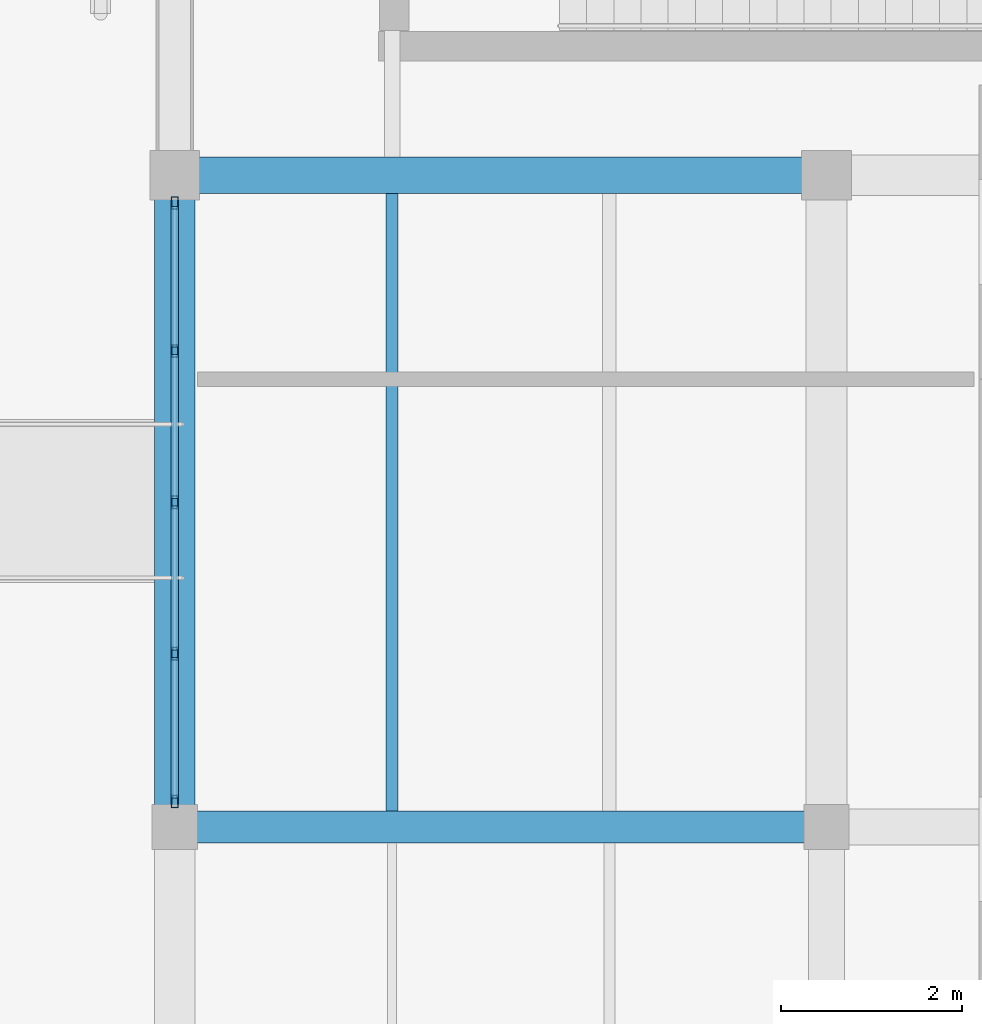
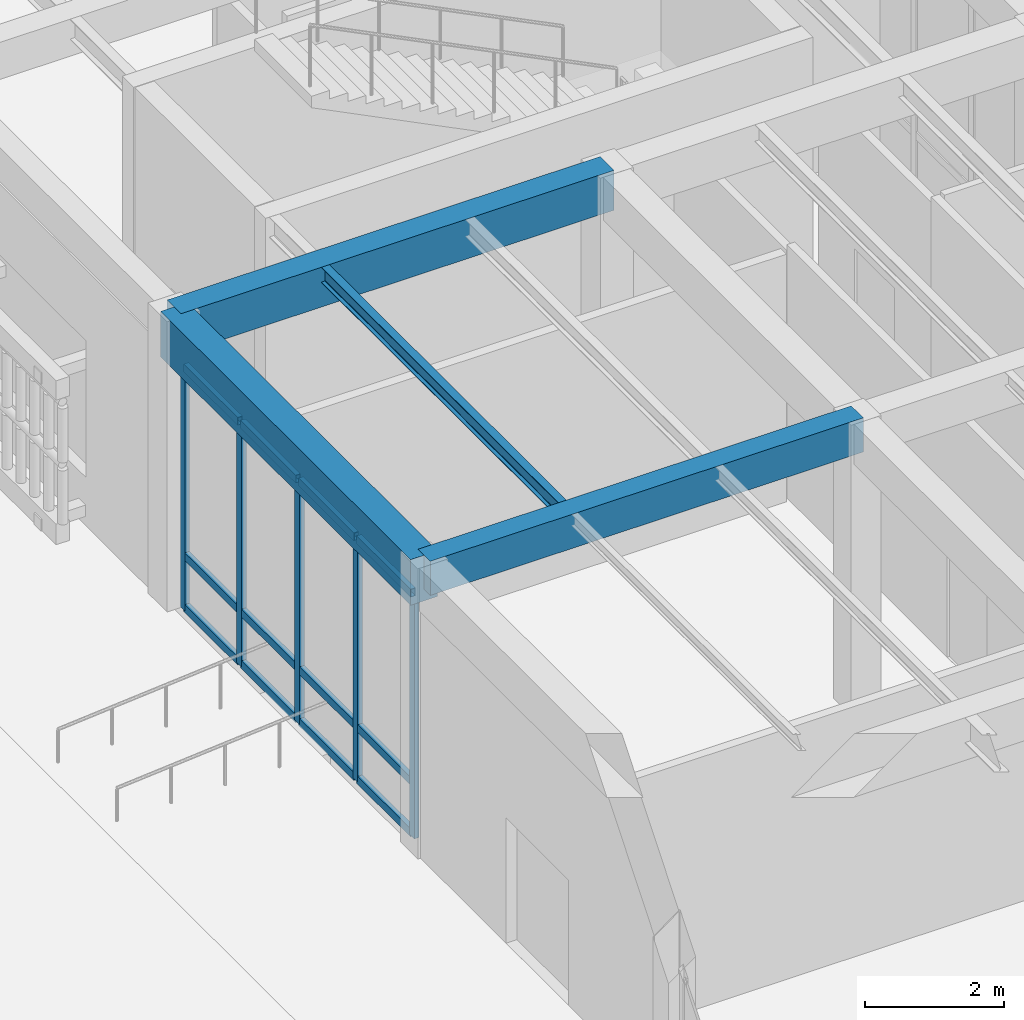
# One storey, part 75 of 169: 17 members, 4 beams, 1 element without a shape of its own.
"""IFC4 building model written with IfcOpenShell, lengths in metres."""

from ifc_helpers import new_model, si_unit, direction, frame, origin, origin_2d, place, context, subcontext, project, spatial, rectangle, hollow_rectangle, i_section, extrude, material, layer, layer_set, material_profile, profile_set, type_object, element, aggregate, save


model = new_model("IFC4")

# Units and contexts
model_context = context("Model", 3, precision=1e-05, world=origin(), true_north=direction((0.0, 1.0)))
body_context = subcontext(model_context, "Body", "Model", "MODEL_VIEW")
ifc_project = project(units=[si_unit("LENGTHUNIT", "METRE"), si_unit("AREAUNIT", "SQUARE_METRE"), si_unit("VOLUMEUNIT", "CUBIC_METRE"), si_unit("PLANEANGLEUNIT", "RADIAN"), si_unit("MASSUNIT", "GRAM", prefix="KILO")], contexts=[model_context])

# Site, building, storey
site_placement = place(None, origin())
site = spatial("IfcSite", under=ifc_project, at=site_placement, CompositionType="ELEMENT")
building_placement = place(site_placement, origin())
building = spatial("IfcBuilding", under=site, at=building_placement, Name="Mazaris Harbour Polytechnic", CompositionType="ELEMENT")
storey_placement = place(building_placement, origin())
storey = spatial("IfcBuildingStorey", under=building, at=storey_placement, Name="L00", CompositionType="ELEMENT", Elevation=0.0)

# Curtain wall, members
ifc_material_1 = material(Name="Anodised Bronze Aluminium and Low-E Glass", Category="aluminium")
ifc_layer = layer(ifc_material_1, 0.169921875, Name="Anodised Bronze Aluminium and Low-E Glass")
ifc_layer_set = layer_set([ifc_layer], Name="Anodised Bronze Aluminium and Low-E Glass")
curtain_wall_type = type_object("IfcCurtainWallType", Name="Studio North-Light Curtain Wall", PredefinedType="NOTDEFINED", material=ifc_layer_set)
curtain_wall_placement = place(storey_placement, origin())
curtain_wall = element("IfcCurtainWall", 1, at=curtain_wall_placement, inside=storey, type_object=curtain_wall_type, Name="V5 L00 Curtain Wall 188", PredefinedType="NOTDEFINED")
ifc_material_2 = material(Name="Anodised Bronze Steel S355", Category="steel")
ifc_material_profile_1 = material_profile(ifc_material_2, hollow_rectangle(XDim=0.080078125, YDim=0.139892578125, WallThickness=0.00634765625, at=origin_2d()), Name="RHS 80x140x6.3")
ifc_profile_set_1 = profile_set([ifc_material_profile_1], Name="Anodised Bronze Steel S355")
member_type_1 = type_object("IfcMemberType", Name="Curtain Mullion RHS80x140", PredefinedType="MULLION", material=ifc_profile_set_1)
member_1_placement = place(storey_placement, frame((122.39990234375, 61.48193359375, 0.0), z_axis=(0.0, 0.0, 1.0), x_axis=(-1.0, 0.0, 0.0)))
member_1 = element("IfcMember", 2, at=member_1_placement, type_object=member_type_1, Name="CW-03 mullion 1", PredefinedType="MULLION", context=body_context, shape_type="SweptSolid", body=[
    extrude(hollow_rectangle(XDim=0.080078125, YDim=0.139892578125, WallThickness=0.00634765625, at=origin_2d()), origin(), (0.0, 0.0, 1.0), 4.2900390625),
])
member_2_placement = place(storey_placement, frame((122.39990234375, 63.11474609375, 0.0), z_axis=(0.0, 0.0, 1.0), x_axis=(-1.0, 0.0, 0.0)))
member_2 = element("IfcMember", 3, at=member_2_placement, type_object=member_type_1, Name="CW-03 mullion 2", PredefinedType="MULLION", context=body_context, shape_type="SweptSolid", body=[
    extrude(hollow_rectangle(XDim=0.080078125, YDim=0.139892578125, WallThickness=0.00634765625, at=origin_2d()), origin(), (0.0, 0.0, 1.0), 4.2900390625),
])
member_3_placement = place(storey_placement, frame((122.39990234375, 64.78759765625, 0.0), z_axis=(0.0, 0.0, 1.0), x_axis=(-1.0, 0.0, 0.0)))
member_3 = element("IfcMember", 4, at=member_3_placement, type_object=member_type_1, Name="CW-03 mullion 3", PredefinedType="MULLION", context=body_context, shape_type="SweptSolid", body=[
    extrude(hollow_rectangle(XDim=0.080078125, YDim=0.139892578125, WallThickness=0.00634765625, at=origin_2d()), origin(), (0.0, 0.0, 1.0), 4.2900390625),
])
member_4_placement = place(storey_placement, frame((122.39990234375, 66.460205078125, 0.0), z_axis=(0.0, 0.0, 1.0), x_axis=(-1.0, 0.0, 0.0)))
member_4 = element("IfcMember", 5, at=member_4_placement, type_object=member_type_1, Name="CW-03 mullion 4", PredefinedType="MULLION", context=body_context, shape_type="SweptSolid", body=[
    extrude(hollow_rectangle(XDim=0.080078125, YDim=0.139892578125, WallThickness=0.00634765625, at=origin_2d()), origin(), (0.0, 0.0, 1.0), 4.2900390625),
])
member_5_placement = place(storey_placement, frame((122.39990234375, 68.093017578125, 0.0), z_axis=(0.0, 0.0, 1.0), x_axis=(-1.0, 0.0, 0.0)))
member_5 = element("IfcMember", 6, at=member_5_placement, type_object=member_type_1, Name="CW-03 mullion 5", PredefinedType="MULLION", context=body_context, shape_type="SweptSolid", body=[
    extrude(hollow_rectangle(XDim=0.080078125, YDim=0.139892578125, WallThickness=0.00634765625, at=origin_2d()), origin(), (0.0, 0.0, 1.0), 4.2900390625),
])
ifc_material_3 = material(Name="Anodised Bronze Steel S355", Category="steel")
ifc_material_profile_2 = material_profile(ifc_material_3, hollow_rectangle(XDim=0.080078125, YDim=0.139892578125, WallThickness=0.00634765625, at=origin_2d()), Name="RHS 80x140x6.3")
ifc_profile_set_2 = profile_set([ifc_material_profile_2], Name="Anodised Bronze Steel S355")
member_type_2 = type_object("IfcMemberType", Name="Curtain Transom RHS80x140", PredefinedType="USERDEFINED", material=ifc_profile_set_2)
member_6_placement = place(storey_placement, frame((122.39990234375, 61.52197265625, 0.0400390625), z_axis=(0.0, 1.0, 0.0), x_axis=(-1.0, 0.0, 0.0)))
member_6 = element("IfcMember", 7, at=member_6_placement, type_object=member_type_2, Name="CW-03 transom 1.1", ObjectType="TRANSOM", PredefinedType="USERDEFINED", context=body_context, shape_type="SweptSolid", body=[
    extrude(hollow_rectangle(XDim=0.080078125, YDim=0.139892578125, WallThickness=0.00634765625, at=origin_2d()), origin(), (0.0, 0.0, 1.0), 1.552734375),
])
member_7_placement = place(storey_placement, frame((122.39990234375, 61.52197265625, 0.949951171875), z_axis=(0.0, 1.0, 0.0), x_axis=(-1.0, 0.0, 0.0)))
member_7 = element("IfcMember", 8, at=member_7_placement, type_object=member_type_2, Name="CW-03 transom 1.2", ObjectType="TRANSOM", PredefinedType="USERDEFINED", context=body_context, shape_type="SweptSolid", body=[
    extrude(hollow_rectangle(XDim=0.080078125, YDim=0.139892578125, WallThickness=0.00634765625, at=origin_2d()), origin(), (0.0, 0.0, 1.0), 1.552734375),
])
member_8_placement = place(storey_placement, frame((122.39990234375, 61.52197265625, 4.25), z_axis=(0.0, 1.0, 0.0), x_axis=(-1.0, 0.0, 0.0)))
member_8 = element("IfcMember", 9, at=member_8_placement, type_object=member_type_2, Name="CW-03 transom 1.3", ObjectType="TRANSOM", PredefinedType="USERDEFINED", context=body_context, shape_type="SweptSolid", body=[
    extrude(hollow_rectangle(XDim=0.080078125, YDim=0.139892578125, WallThickness=0.00634765625, at=origin_2d()), origin(), (0.0, 0.0, 1.0), 1.552734375),
])
member_9_placement = place(storey_placement, frame((122.39990234375, 63.15478515625, 0.0400390625), z_axis=(0.0, 1.0, 0.0), x_axis=(-1.0, 0.0, 0.0)))
member_9 = element("IfcMember", 10, at=member_9_placement, type_object=member_type_2, Name="CW-03 transom 2.1", ObjectType="TRANSOM", PredefinedType="USERDEFINED", context=body_context, shape_type="SweptSolid", body=[
    extrude(hollow_rectangle(XDim=0.080078125, YDim=0.139892578125, WallThickness=0.00634765625, at=origin_2d()), origin(), (0.0, 0.0, 1.0), 1.5927734375),
])
member_10_placement = place(storey_placement, frame((122.39990234375, 63.15478515625, 0.949951171875), z_axis=(0.0, 1.0, 0.0), x_axis=(-1.0, 0.0, 0.0)))
member_10 = element("IfcMember", 11, at=member_10_placement, type_object=member_type_2, Name="CW-03 transom 2.2", ObjectType="TRANSOM", PredefinedType="USERDEFINED", context=body_context, shape_type="SweptSolid", body=[
    extrude(hollow_rectangle(XDim=0.080078125, YDim=0.139892578125, WallThickness=0.00634765625, at=origin_2d()), origin(), (0.0, 0.0, 1.0), 1.5927734375),
])
member_11_placement = place(storey_placement, frame((122.39990234375, 63.15478515625, 4.25), z_axis=(0.0, 1.0, 0.0), x_axis=(-1.0, 0.0, 0.0)))
member_11 = element("IfcMember", 12, at=member_11_placement, type_object=member_type_2, Name="CW-03 transom 2.3", ObjectType="TRANSOM", PredefinedType="USERDEFINED", context=body_context, shape_type="SweptSolid", body=[
    extrude(hollow_rectangle(XDim=0.080078125, YDim=0.139892578125, WallThickness=0.00634765625, at=origin_2d()), origin(), (0.0, 0.0, 1.0), 1.5927734375),
])
member_12_placement = place(storey_placement, frame((122.39990234375, 64.827392578125, 0.0400390625), z_axis=(0.0, 1.0, 0.0), x_axis=(-1.0, 0.0, 0.0)))
member_12 = element("IfcMember", 13, at=member_12_placement, type_object=member_type_2, Name="CW-03 transom 3.1", ObjectType="TRANSOM", PredefinedType="USERDEFINED", context=body_context, shape_type="SweptSolid", body=[
    extrude(hollow_rectangle(XDim=0.080078125, YDim=0.139892578125, WallThickness=0.00634765625, at=origin_2d()), origin(), (0.0, 0.0, 1.0), 1.5927734375),
])
member_13_placement = place(storey_placement, frame((122.39990234375, 64.827392578125, 0.949951171875), z_axis=(0.0, 1.0, 0.0), x_axis=(-1.0, 0.0, 0.0)))
member_13 = element("IfcMember", 14, at=member_13_placement, type_object=member_type_2, Name="CW-03 transom 3.2", ObjectType="TRANSOM", PredefinedType="USERDEFINED", context=body_context, shape_type="SweptSolid", body=[
    extrude(hollow_rectangle(XDim=0.080078125, YDim=0.139892578125, WallThickness=0.00634765625, at=origin_2d()), origin(), (0.0, 0.0, 1.0), 1.5927734375),
])
member_14_placement = place(storey_placement, frame((122.39990234375, 64.827392578125, 4.25), z_axis=(0.0, 1.0, 0.0), x_axis=(-1.0, 0.0, 0.0)))
member_14 = element("IfcMember", 15, at=member_14_placement, type_object=member_type_2, Name="CW-03 transom 3.3", ObjectType="TRANSOM", PredefinedType="USERDEFINED", context=body_context, shape_type="SweptSolid", body=[
    extrude(hollow_rectangle(XDim=0.080078125, YDim=0.139892578125, WallThickness=0.00634765625, at=origin_2d()), origin(), (0.0, 0.0, 1.0), 1.5927734375),
])
member_15_placement = place(storey_placement, frame((122.39990234375, 66.500244140625, 0.0400390625), z_axis=(0.0, 1.0, 0.0), x_axis=(-1.0, 0.0, 0.0)))
member_15 = element("IfcMember", 16, at=member_15_placement, type_object=member_type_2, Name="CW-03 transom 4.1", ObjectType="TRANSOM", PredefinedType="USERDEFINED", context=body_context, shape_type="SweptSolid", body=[
    extrude(hollow_rectangle(XDim=0.080078125, YDim=0.139892578125, WallThickness=0.00634765625, at=origin_2d()), origin(), (0.0, 0.0, 1.0), 1.552734375),
])
member_16_placement = place(storey_placement, frame((122.39990234375, 66.500244140625, 0.949951171875), z_axis=(0.0, 1.0, 0.0), x_axis=(-1.0, 0.0, 0.0)))
member_16 = element("IfcMember", 17, at=member_16_placement, type_object=member_type_2, Name="CW-03 transom 4.2", ObjectType="TRANSOM", PredefinedType="USERDEFINED", context=body_context, shape_type="SweptSolid", body=[
    extrude(hollow_rectangle(XDim=0.080078125, YDim=0.139892578125, WallThickness=0.00634765625, at=origin_2d()), origin(), (0.0, 0.0, 1.0), 1.552734375),
])
member_17_placement = place(storey_placement, frame((122.39990234375, 66.500244140625, 4.25), z_axis=(0.0, 1.0, 0.0), x_axis=(-1.0, 0.0, 0.0)))
member_17 = element("IfcMember", 18, at=member_17_placement, type_object=member_type_2, Name="CW-03 transom 4.3", ObjectType="TRANSOM", PredefinedType="USERDEFINED", context=body_context, shape_type="SweptSolid", body=[
    extrude(hollow_rectangle(XDim=0.080078125, YDim=0.139892578125, WallThickness=0.00634765625, at=origin_2d()), origin(), (0.0, 0.0, 1.0), 1.552734375),
])
aggregate(curtain_wall, [member_1, member_2, member_3, member_4, member_5, member_6, member_7, member_8, member_9, member_10, member_11, member_12, member_13, member_14, member_15, member_16, member_17])

# Beams
ifc_material_4 = material(Name="Concrete C35/45", Category="concrete")
ifc_material_profile_3 = material_profile(ifc_material_4, rectangle(XDim=0.35009765625, YDim=0.60009765625, at=origin_2d()), Name="RECT350x600")
ifc_profile_set_3 = profile_set([ifc_material_profile_3], Name="Concrete C35/45")
beam_type_1 = type_object("IfcBeamType", Name="RC Girder 350x600", PredefinedType="BEAM", material=ifc_profile_set_3)
beam_1_placement = place(storey_placement, frame((122.39990234375, 61.199951171875, 4.800048828125), z_axis=(1.0, 0.0, 0.0), x_axis=(0.0, 1.0, 0.0)))
element("IfcBeam", 19, at=beam_1_placement, inside=storey, type_object=beam_type_1, Name="V5 L00 Girder 2710", PredefinedType="BEAM", context=body_context, shape_type="SweptSolid", body=[
    extrude(rectangle(XDim=0.35009765625, YDim=0.60009765625, at=origin_2d()), origin(), (0.0, 0.0, 1.0), 7.2001953125),
])
ifc_material_5 = material(Name="Concrete C35/45", Category="concrete")
ifc_material_profile_4 = material_profile(ifc_material_5, rectangle(XDim=0.39990234375, YDim=0.699951171875, at=origin_2d()), Name="RECT400x700")
ifc_profile_set_4 = profile_set([ifc_material_profile_4], Name="Concrete C35/45")
beam_type_2 = type_object("IfcBeamType", Name="RC Girder 400x700", PredefinedType="BEAM", material=ifc_profile_set_4)
beam_2_placement = place(storey_placement, frame((122.39990234375, 68.39990234375, 4.75), z_axis=(1.0, 0.0, 0.0), x_axis=(0.0, 1.0, 0.0)))
element("IfcBeam", 20, at=beam_2_placement, inside=storey, type_object=beam_type_2, Name="V5 L00 Girder 2717", PredefinedType="BEAM", context=body_context, shape_type="SweptSolid", body=[
    extrude(rectangle(XDim=0.39990234375, YDim=0.699951171875, at=origin_2d()), origin(), (0.0, 0.0, 1.0), 7.2001953125),
])
ifc_material_6 = material(Name="Concrete C40/50", Category="concrete")
ifc_material_profile_5 = material_profile(ifc_material_6, rectangle(XDim=0.449951171875, YDim=0.800048828125, at=origin_2d()), Name="RECT450x800")
ifc_profile_set_5 = profile_set([ifc_material_profile_5], Name="Concrete C40/50")
beam_type_3 = type_object("IfcBeamType", Name="RC Girder 450x800 Exterior", PredefinedType="BEAM", material=ifc_profile_set_5)
beam_3_placement = place(storey_placement, frame((122.39990234375, 61.199951171875, 4.699951171875), z_axis=(0.0, 1.0, 0.0), x_axis=(-1.0, 0.0, 0.0)))
element("IfcBeam", 21, at=beam_3_placement, inside=storey, type_object=beam_type_3, Name="V5 L00 Tie Girder 2759", PredefinedType="BEAM", context=body_context, shape_type="SweptSolid", body=[
    extrude(rectangle(XDim=0.449951171875, YDim=0.800048828125, at=origin_2d()), origin(), (0.0, 0.0, 1.0), 7.199951171875),
])
ifc_material_7 = material(Name="Steel S355", Category="steel")
ifc_material_profile_6 = material_profile(ifc_material_7, i_section(OverallWidth=0.135009765625, OverallDepth=0.27001953125, WebThickness=0.006591796875, FlangeThickness=0.01025390625, FilletRadius=0.014892578125, at=origin_2d()), Name="IPE 270")
ifc_profile_set_6 = profile_set([ifc_material_profile_6], Name="Steel S355")
beam_type_4 = type_object("IfcBeamType", Name="Steel Joist IPE270", PredefinedType="JOIST", material=ifc_profile_set_6)
beam_4_placement = place(storey_placement, frame((124.800048828125, 61.375, 4.965087890625), z_axis=(0.0, 1.0, 0.0), x_axis=(-1.0, 0.0, 0.0)))
element("IfcBeam", 22, at=beam_4_placement, inside=storey, type_object=beam_type_4, Name="V5 L00 Floor Joist 2823", PredefinedType="JOIST", context=body_context, shape_type="SweptSolid", body=[
    extrude(i_section(OverallWidth=0.135009765625, OverallDepth=0.27001953125, WebThickness=0.006591796875, FlangeThickness=0.01025390625, FilletRadius=0.014892578125, at=origin_2d()), origin(), (0.0, 0.0, 1.0), 6.824951171875),
])

save(model, "model.ifc")
